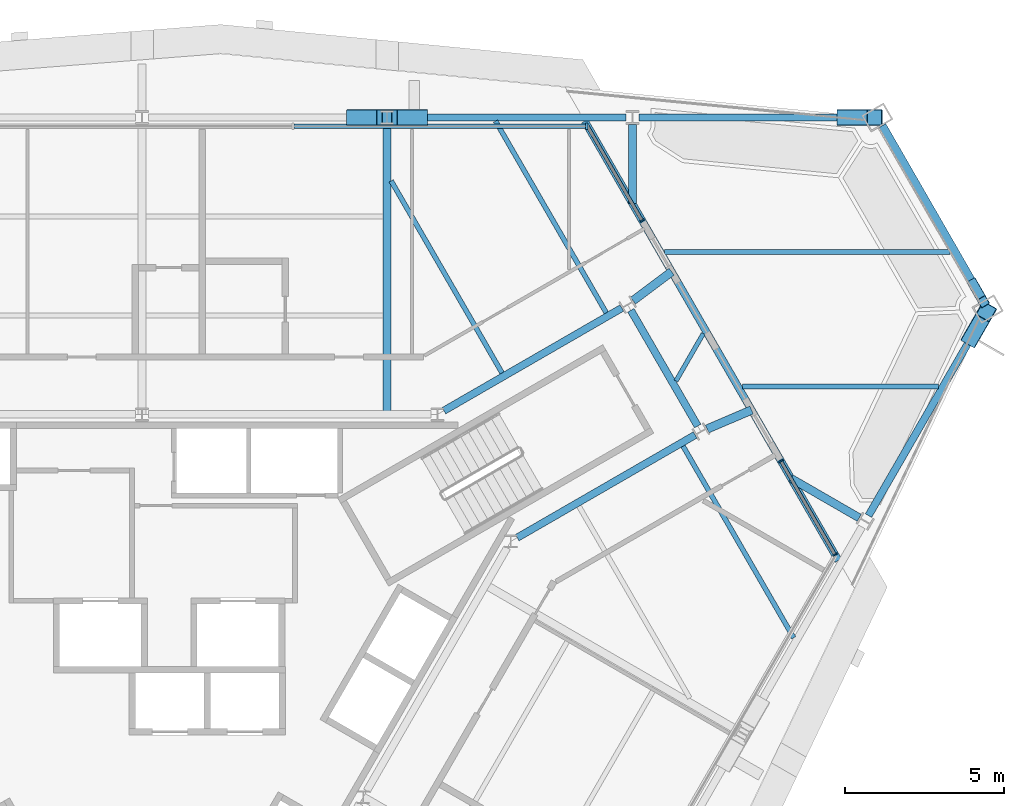
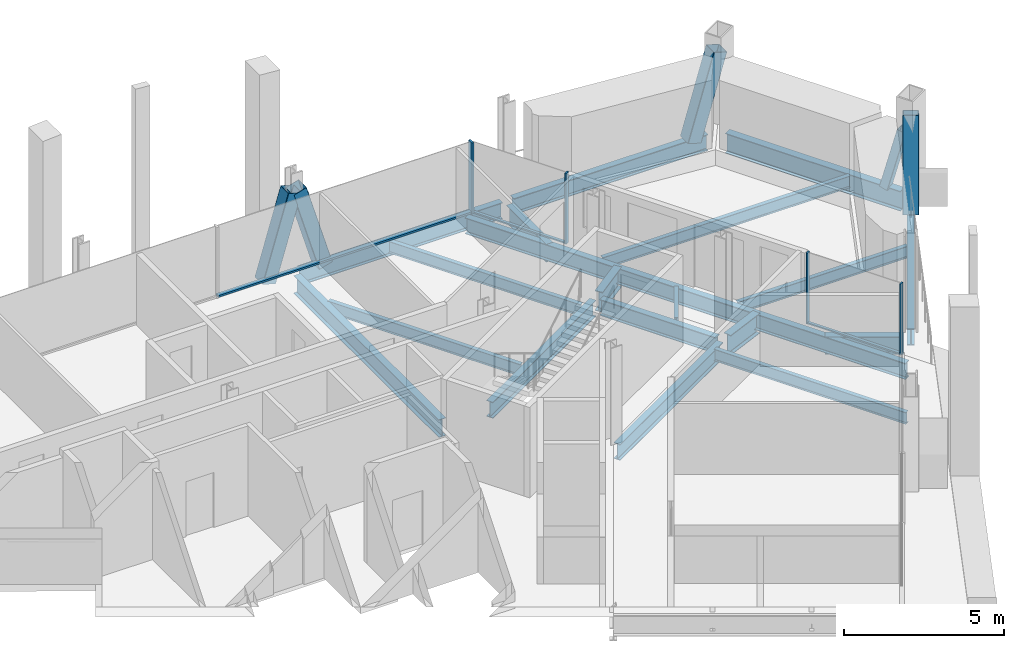
# One storey, part 6 of 13: 19 beams, 12 members, 3 elements without a shape of their own.
"""IFC4 building model written with IfcOpenShell, lengths in metres."""

from ifc_helpers import new_model, si_unit, direction, frame, origin, origin_2d, place, context, subcontext, project, spatial, rectangle, hollow_rectangle, i_section, extrude, material, material_profile, profile_set, type_object, element, aggregate, save


model = new_model("IFC4")

# Units and contexts
model_context = context("Model", 3, precision=1e-05, world=origin(), true_north=direction((0.0, 1.0)))
body_context = subcontext(model_context, "Body", "Model", "MODEL_VIEW")
ifc_project = project(units=[si_unit("LENGTHUNIT", "METRE"), si_unit("AREAUNIT", "SQUARE_METRE"), si_unit("VOLUMEUNIT", "CUBIC_METRE"), si_unit("PLANEANGLEUNIT", "RADIAN"), si_unit("MASSUNIT", "GRAM", prefix="KILO")], contexts=[model_context])

# Site, building, storey
site_placement = place(None, origin())
site = spatial("IfcSite", under=ifc_project, at=site_placement, CompositionType="ELEMENT")
building_placement = place(site_placement, origin())
building = spatial("IfcBuilding", under=site, at=building_placement, Name="Verrane Prism Tower", CompositionType="ELEMENT")
storey_placement = place(building_placement, frame((0.0, 0.0, 171.0)))
storey = spatial("IfcBuildingStorey", under=building, at=storey_placement, Name="L42", CompositionType="ELEMENT", Elevation=171.0)

# Member
ifc_material_1 = material(Name="Steel A500 Grade C", Category="steel")
ifc_material_profile_1 = material_profile(ifc_material_1, hollow_rectangle(XDim=0.3046875, YDim=0.3046875, WallThickness=0.0126953125, InnerFilletRadius=0.00634765625, OuterFilletRadius=0.01904296875, at=origin_2d()), Name="HSS12x12x1/2")
ifc_profile_set_1 = profile_set([ifc_material_profile_1], Name="Steel A500 Grade C")
member_type_1 = type_object("IfcMemberType", Name="Chamfer brace HSS12x12x1/2", PredefinedType="BRACE", material=ifc_profile_set_1)
member_1_placement = place(storey_placement, frame((26.05517578125, 12.08984375, -0.24267578125), z_axis=(0.129052425004, -0.224143685533, 0.965973643448), x_axis=(0.866622456874, 0.498964444867, 0.0)))
element("IfcMember", 1, at=member_1_placement, inside=storey, type_object=member_type_1, Name="Chamfer brace NE0 L42", PredefinedType="BRACE", context=body_context, shape_type="SweptSolid", body=[
    extrude(hollow_rectangle(XDim=0.3046875, YDim=0.3046875, WallThickness=0.0126953125, InnerFilletRadius=0.00634765625, OuterFilletRadius=0.01904296875, at=origin_2d()), origin(), (0.0, 0.0, 1.0), 2.480224609375),
])

# Beams
ifc_material_2 = material(Name="Steel A992", Category="steel")
ifc_material_profile_2 = material_profile(ifc_material_2, i_section(OverallWidth=0.2666015625, OverallDepth=0.7568359375, WebThickness=0.013916015625, FlangeThickness=0.019287109375, FilletRadius=0.0166015625, at=origin_2d()), Name="W30x108")
ifc_profile_set_2 = profile_set([ifc_material_profile_2], Name="Steel A992")
beam_type_1 = type_object("IfcBeamType", Name="Chamfer spandrel beam W30x108", PredefinedType="SPANDREL", material=ifc_profile_set_2)
beam_1_placement = place(storey_placement, frame((26.3603515625, 11.56005859375, -0.53857421875), z_axis=(-0.498933745764, 0.866640131391, 0.0), x_axis=(-0.866640131391, -0.498933745764, 0.0)))
element("IfcBeam", 2, at=beam_1_placement, inside=storey, type_object=beam_type_1, Name="Chamfer spandrel beam L42", PredefinedType="SPANDREL", context=body_context, shape_type="SweptSolid", body=[
    extrude(i_section(OverallWidth=0.2666015625, OverallDepth=0.7568359375, WebThickness=0.013916015625, FlangeThickness=0.019287109375, FilletRadius=0.0166015625, at=origin_2d()), origin(), (0.0, 0.0, 1.0), 6.334716796875),
])
ifc_material_3 = material(Name="Steel A992", Category="steel")
ifc_material_profile_3 = material_profile(ifc_material_3, i_section(OverallWidth=0.23046875, OverallDepth=0.6171875, WebThickness=0.01318359375, FlangeThickness=0.022216796875, FilletRadius=0.012939453125, at=origin_2d()), Name="W24x94")
ifc_profile_set_3 = profile_set([ifc_material_profile_3], Name="Steel A992")
beam_type_2 = type_object("IfcBeamType", Name="Core ring girder W24x94", PredefinedType="BEAM", material=ifc_profile_set_3)
beam_2_placement = place(storey_placement, frame((11.7607421875, 4.1357421875, -0.55859375), z_axis=(0.866075143088, 0.499913839102, 0.0), x_axis=(-0.499913839102, 0.866075143088, 0.0)))
element("IfcBeam", 3, at=beam_2_placement, inside=storey, type_object=beam_type_2, Name="Core ring girder L42", PredefinedType="BEAM", context=body_context, shape_type="SweptSolid", body=[
    extrude(i_section(OverallWidth=0.23046875, OverallDepth=0.6171875, WebThickness=0.01318359375, FlangeThickness=0.022216796875, FilletRadius=0.012939453125, at=origin_2d()), origin(), (0.0, 0.0, 1.0), 6.441650390625),
])
beam_3_placement = place(storey_placement, frame((17.418212890625, 7.635986328125, -0.55859375), z_axis=(-0.500305747711, 0.865848808284, 0.0), x_axis=(-0.865848808284, -0.500305747711, 0.0)))
element("IfcBeam", 4, at=beam_3_placement, inside=storey, type_object=beam_type_2, Name="Core ring girder L42", PredefinedType="BEAM", context=body_context, shape_type="SweptSolid", body=[
    extrude(i_section(OverallWidth=0.23046875, OverallDepth=0.6171875, WebThickness=0.01318359375, FlangeThickness=0.022216796875, FilletRadius=0.012939453125, at=origin_2d()), origin(), (0.0, 0.0, 1.0), 4.1904296875),
])
beam_4_placement = place(storey_placement, frame((15.03955078125, 11.3359375, -0.55859375), z_axis=(-0.866075143088, -0.499913839102, 0.0), x_axis=(0.499913839102, -0.866075143088, 0.0)))
element("IfcBeam", 5, at=beam_4_placement, inside=storey, type_object=beam_type_2, Name="Core ring girder L42", PredefinedType="BEAM", context=body_context, shape_type="SweptSolid", body=[
    extrude(i_section(OverallWidth=0.23046875, OverallDepth=0.6171875, WebThickness=0.01318359375, FlangeThickness=0.022216796875, FilletRadius=0.012939453125, at=origin_2d()), origin(), (0.0, 0.0, 1.0), 6.441650390625),
])
ifc_material_4 = material(Name="Steel A992", Category="steel")
ifc_material_profile_4 = material_profile(ifc_material_4, i_section(OverallWidth=0.2666015625, OverallDepth=0.76708984375, WebThickness=0.014892578125, FlangeThickness=0.023681640625, FilletRadius=0.0166015625, at=origin_2d()), Name="W30x124")
ifc_profile_set_4 = profile_set([ifc_material_profile_4], Name="Steel A992")
beam_type_3 = type_object("IfcBeamType", Name="Corner girder W30x124", PredefinedType="BEAM", material=ifc_profile_set_4)
beam_5_placement = place(storey_placement, frame((19.10595703125, 8.137451171875, -0.603515625), z_axis=(-0.919636160001, -0.392771349794, 0.0), x_axis=(0.392771349794, -0.919636160001, 0.0)))
element("IfcBeam", 6, at=beam_5_placement, inside=storey, type_object=beam_type_3, Name="Corner girder L42", PredefinedType="BEAM", context=body_context, shape_type="SweptSolid", body=[
    extrude(i_section(OverallWidth=0.2666015625, OverallDepth=0.76708984375, WebThickness=0.014892578125, FlangeThickness=0.023681640625, FilletRadius=0.0166015625, at=origin_2d()), origin(), (0.0, 0.0, 1.0), 1.514892578125),
])
beam_6_placement = place(storey_placement, frame((16.601318359375, 12.4755859375, -0.603515625), z_axis=(-0.800115897234, -0.599845439254, 0.0), x_axis=(0.599845439254, -0.800115897234, 0.0)))
element("IfcBeam", 7, at=beam_6_placement, inside=storey, type_object=beam_type_3, Name="Corner girder L42", PredefinedType="BEAM", context=body_context, shape_type="SweptSolid", body=[
    extrude(i_section(OverallWidth=0.2666015625, OverallDepth=0.76708984375, WebThickness=0.014892578125, FlangeThickness=0.023681640625, FilletRadius=0.0166015625, at=origin_2d()), origin(), (0.0, 0.0, 1.0), 1.5166015625),
])

# Members
ifc_material_5 = material(Name="Steel A500 Grade C", Category="steel")
ifc_material_profile_5 = material_profile(ifc_material_5, hollow_rectangle(XDim=0.508056640625, YDim=0.508056640625, WallThickness=0.01904296875, InnerFilletRadius=0.009521484375, OuterFilletRadius=0.028564453125, at=origin_2d()), Name="HSS20x20x3/4")
ifc_profile_set_5 = profile_set([ifc_material_profile_5], Name="Steel A500 Grade C")
member_type_2 = type_object("IfcMemberType", Name="Facade brace HSS20x20x3/4", PredefinedType="BRACE", material=ifc_profile_set_5)
member_2_placement = place(storey_placement, frame((22.027587890625, 17.31005859375, -0.216796875), z_axis=(0.284252705934, 0.0, 0.958749393308), x_axis=(0.0, 1.0, 0.0)))
element("IfcMember", 8, at=member_2_placement, inside=storey, type_object=member_type_2, Name="Facade brace N0 L42", PredefinedType="BRACE", context=body_context, shape_type="SweptSolid", body=[
    extrude(hollow_rectangle(XDim=0.508056640625, YDim=0.508056640625, WallThickness=0.01904296875, InnerFilletRadius=0.009521484375, OuterFilletRadius=0.028564453125, at=origin_2d()), origin(), (0.0, 0.0, 1.0), 3.286865234375),
])
member_3_placement = place(storey_placement, frame((8.703857421875, 17.31005859375, -0.216796875), z_axis=(-0.284594022652, 0.0, 0.95864813267), x_axis=(0.0, -1.0, 0.0)))
element("IfcMember", 9, at=member_3_placement, inside=storey, type_object=member_type_2, Name="Facade brace N1 L42", PredefinedType="BRACE", context=body_context, shape_type="SweptSolid", body=[
    extrude(hollow_rectangle(XDim=0.508056640625, YDim=0.508056640625, WallThickness=0.01904296875, InnerFilletRadius=0.009521484375, OuterFilletRadius=0.028564453125, at=origin_2d()), origin(), (0.0, 0.0, 1.0), 3.287353515625),
])
for number, where, z_axis, x_axis, name in (
    (10, (6.65771484375, 17.31005859375, -0.216796875), (0.284252705934, 0.0, 0.958749393308), (0.0, 1.0, 0.0), "Facade brace N2 L42"),
    (11, (25.998779296875, 10.414794921875, -0.216796875), (0.142163466059, 0.246149282404, 0.958749226696), (-0.86595058071, 0.500129574979, 0.0), "Facade brace SE5 L42"),
):
    element("IfcMember", number, at=place(storey_placement, frame(where, z_axis=z_axis, x_axis=x_axis)), inside=storey, type_object=member_type_2, Name=name, PredefinedType="BRACE", context=body_context, shape_type="SweptSolid", body=[
        extrude(hollow_rectangle(XDim=0.508056640625, YDim=0.508056640625, WallThickness=0.01904296875, InnerFilletRadius=0.009521484375, OuterFilletRadius=0.028564453125, at=origin_2d()), origin(), (0.0, 0.0, 1.0), 3.286865234375),
    ])

# Beams
ifc_material_6 = material(Name="Steel A992", Category="steel")
ifc_material_profile_6 = material_profile(ifc_material_6, i_section(OverallWidth=0.140380859375, OverallDepth=0.40380859375, WebThickness=0.007080078125, FlangeThickness=0.01123046875, FilletRadius=0.01025390625, at=origin_2d()), Name="W16x31")
ifc_profile_set_6 = profile_set([ifc_material_profile_6], Name="Steel A992")
beam_type_4 = type_object("IfcBeamType", Name="Floor beam W16x31", PredefinedType="BEAM", material=ifc_profile_set_6)
beam_7_placement = place(storey_placement, frame((16.73583984375, 9.046630859375, -0.36181640625), z_axis=(0.49998117181, 0.866036273972, 0.0), x_axis=(-0.866036273972, 0.49998117181, 0.0)))
element("IfcBeam", 12, at=beam_7_placement, inside=storey, type_object=beam_type_4, Name="Floor beam L42", PredefinedType="BEAM", context=body_context, shape_type="SweptSolid", body=[
    extrude(i_section(OverallWidth=0.140380859375, OverallDepth=0.40380859375, WebThickness=0.007080078125, FlangeThickness=0.01123046875, FilletRadius=0.01025390625, at=origin_2d()), origin(), (0.0, 0.0, 1.0), 1.71533203125),
])
ifc_material_7 = material(Name="Steel A992", Category="steel")
ifc_material_profile_7 = material_profile(ifc_material_7, i_section(OverallWidth=0.15234375, OverallDepth=0.449462890625, WebThickness=0.007568359375, FlangeThickness=0.0107421875, FilletRadius=0.01025390625, at=origin_2d()), Name="W18x35")
ifc_profile_set_7 = profile_set([ifc_material_profile_7], Name="Steel A992")
beam_type_5 = type_object("IfcBeamType", Name="Floor beam W18x35", PredefinedType="BEAM", material=ifc_profile_set_7)
beam_8_placement = place(storey_placement, frame((18.820556640625, 8.8701171875, -0.384765625), z_axis=(1.0, 0.0, 0.0), x_axis=(0.0, 1.0, 0.0)))
element("IfcBeam", 13, at=beam_8_placement, inside=storey, type_object=beam_type_5, Name="Floor beam L42", PredefinedType="BEAM", context=body_context, shape_type="SweptSolid", body=[
    extrude(i_section(OverallWidth=0.15234375, OverallDepth=0.449462890625, WebThickness=0.007568359375, FlangeThickness=0.0107421875, FilletRadius=0.01025390625, at=origin_2d()), origin(), (0.0, 0.0, 1.0), 6.153564453125),
])
beam_9_placement = place(storey_placement, frame((16.380615234375, 13.090087890625, -0.384765625), z_axis=(1.0, 0.0, 0.0), x_axis=(0.0, 1.0, 0.0)))
element("IfcBeam", 14, at=beam_9_placement, inside=storey, type_object=beam_type_5, Name="Floor beam L42", PredefinedType="BEAM", context=body_context, shape_type="SweptSolid", body=[
    extrude(i_section(OverallWidth=0.15234375, OverallDepth=0.449462890625, WebThickness=0.007568359375, FlangeThickness=0.0107421875, FilletRadius=0.01025390625, at=origin_2d()), origin(), (0.0, 0.0, 1.0), 8.94482421875),
])
beam_10_placement = place(storey_placement, frame((14.550537109375, 11.186279296875, -0.384765625), z_axis=(-0.500006734102, 0.866021515814, 0.0), x_axis=(-0.866021515814, -0.500006734102, 0.0)))
element("IfcBeam", 15, at=beam_10_placement, inside=storey, type_object=beam_type_5, Name="Floor beam L42", PredefinedType="BEAM", context=body_context, shape_type="SweptSolid", body=[
    extrude(i_section(OverallWidth=0.15234375, OverallDepth=0.449462890625, WebThickness=0.007568359375, FlangeThickness=0.0107421875, FilletRadius=0.01025390625, at=origin_2d()), origin(), (0.0, 0.0, 1.0), 6.9384765625),
])
beam_11_placement = place(storey_placement, frame((11.283935546875, 9.301025390625, -0.384765625), z_axis=(-0.500013189534, 0.86601778867, 0.0), x_axis=(-0.86601778867, -0.500013189534, 0.0)))
element("IfcBeam", 16, at=beam_11_placement, inside=storey, type_object=beam_type_5, Name="Floor beam L42", PredefinedType="BEAM", context=body_context, shape_type="SweptSolid", body=[
    extrude(i_section(OverallWidth=0.15234375, OverallDepth=0.449462890625, WebThickness=0.007568359375, FlangeThickness=0.0107421875, FilletRadius=0.01025390625, at=origin_2d()), origin(), (0.0, 0.0, 1.0), 6.953857421875),
])
beam_12_placement = place(storey_placement, frame((20.427490234375, 0.99658203125, -0.384765625), z_axis=(-0.499981432111, 0.866036123695, 0.0), x_axis=(-0.866036123695, -0.499981432111, 0.0)))
element("IfcBeam", 17, at=beam_12_placement, inside=storey, type_object=beam_type_5, Name="Floor beam L42", PredefinedType="BEAM", context=body_context, shape_type="SweptSolid", body=[
    extrude(i_section(OverallWidth=0.15234375, OverallDepth=0.449462890625, WebThickness=0.007568359375, FlangeThickness=0.0107421875, FilletRadius=0.01025390625, at=origin_2d()), origin(), (0.0, 0.0, 1.0), 6.936279296875),
])

# Curtain wall, members
ifc_material_8 = material(Name="Aluminium framed insulated glazing", Category="aluminium")
curtain_wall_type_1 = type_object("IfcCurtainWallType", Name="Curtain wall CW-C 4200 module", PredefinedType="NOTDEFINED", material=ifc_material_8)
curtain_wall_1_placement = place(storey_placement, origin())
curtain_wall_1 = element("IfcCurtainWall", 18, at=curtain_wall_1_placement, inside=storey, type_object=curtain_wall_type_1, Name="Glazed curtain wall garden cut line L42 1", PredefinedType="NOTDEFINED")
ifc_material_9 = material(Name="Aluminium alloy 6063-T6", Category="aluminium")
ifc_material_profile_8 = material_profile(ifc_material_9, rectangle(XDim=0.139892578125, YDim=0.050048828125, at=origin_2d()), Name="Mullion 50x140 aluminium")
ifc_profile_set_8 = profile_set([ifc_material_profile_8], Name="Aluminium alloy 6063-T6")
member_type_3 = type_object("IfcMemberType", Name="Mullion 50x140 aluminium", PredefinedType="MULLION", material=ifc_profile_set_8)
member_4_placement = place(storey_placement, frame((21.722412109375, 3.605712890625, 0.0), z_axis=(0.0, 0.0, 1.0), x_axis=(-0.866026508567, -0.499998086456, 0.0)))
member_4 = element("IfcMember", 19, at=member_4_placement, type_object=member_type_3, Name="CW42.1.1 mullion 1", PredefinedType="MULLION", context=body_context, shape_type="SweptSolid", body=[
    extrude(rectangle(XDim=0.139892578125, YDim=0.050048828125, at=origin_2d()), origin(), (0.0, 0.0, 1.0), 2.712890625),
])
member_5_placement = place(storey_placement, frame((20.030517578125, 6.535888671875, 0.0), z_axis=(0.0, 0.0, 1.0), x_axis=(-0.866026508567, -0.499998086456, 0.0)))
member_5 = element("IfcMember", 20, at=member_5_placement, type_object=member_type_3, Name="CW42.1.1 mullion 2", PredefinedType="MULLION", context=body_context, shape_type="SweptSolid", body=[
    extrude(rectangle(XDim=0.139892578125, YDim=0.050048828125, at=origin_2d()), origin(), (0.0, 0.0, 1.0), 2.712890625),
])

# Curtain wall, member
curtain_wall_2_placement = place(storey_placement, origin())
curtain_wall_2 = element("IfcCurtainWall", 21, at=curtain_wall_2_placement, inside=storey, type_object=curtain_wall_type_1, Name="Glazed curtain wall garden cut line L42 2", PredefinedType="NOTDEFINED")
member_6_placement = place(storey_placement, frame((15.675537109375, 14.0791015625, 0.0), z_axis=(0.0, 0.0, 1.0), x_axis=(-0.866026508567, -0.499998086456, 0.0)))
member_6 = element("IfcMember", 22, at=member_6_placement, type_object=member_type_3, Name="CW42.1.2 mullion 1", PredefinedType="MULLION", context=body_context, shape_type="SweptSolid", body=[
    extrude(rectangle(XDim=0.139892578125, YDim=0.050048828125, at=origin_2d()), origin(), (0.0, 0.0, 1.0), 2.712890625),
])

ifc_material_10 = material(Name="Aluminium framed insulated glazing", Category="aluminium")
curtain_wall_type_2 = type_object("IfcCurtainWallType", Name="Curtain wall CW-A 8400 module", PredefinedType="NOTDEFINED", material=ifc_material_10)
curtain_wall_3_placement = place(storey_placement, origin())
curtain_wall_3 = element("IfcCurtainWall", 23, at=curtain_wall_3_placement, inside=storey, type_object=curtain_wall_type_2, Name="Glazed curtain wall north face L42", PredefinedType="NOTDEFINED")
ifc_material_11 = material(Name="Aluminium alloy 6063-T6", Category="aluminium")
ifc_material_profile_9 = material_profile(ifc_material_11, rectangle(XDim=0.199951171875, YDim=0.070068359375, at=origin_2d()), Name="Mullion 70x200 aluminium")
ifc_profile_set_9 = profile_set([ifc_material_profile_9], Name="Aluminium alloy 6063-T6")
member_type_4 = type_object("IfcMemberType", Name="Mullion 70x200 aluminium", PredefinedType="MULLION", material=ifc_profile_set_9)
member_7_placement = place(storey_placement, frame((13.936279296875, 17.031005859375, 0.0), z_axis=(0.0, 0.0, 1.0), x_axis=(0.0, -1.0, 0.0)))
member_7 = element("IfcMember", 24, at=member_7_placement, type_object=member_type_4, Name="CW42.2 mullion 1", PredefinedType="MULLION", context=body_context, shape_type="SweptSolid", body=[
    extrude(rectangle(XDim=0.199951171875, YDim=0.070068359375, at=origin_2d()), origin(), (0.0, 0.0, 1.0), 2.712890625),
])

# Beams
ifc_material_12 = material(Name="Steel A992", Category="steel")
ifc_material_profile_10 = material_profile(ifc_material_12, i_section(OverallWidth=0.25390625, OverallDepth=0.683349609375, WebThickness=0.012451171875, FlangeThickness=0.01904296875, FilletRadius=0.01513671875, at=origin_2d()), Name="W27x94")
ifc_profile_set_10 = profile_set([ifc_material_profile_10], Name="Steel A992")
beam_type_6 = type_object("IfcBeamType", Name="Radial girder W27x94", PredefinedType="BEAM", material=ifc_profile_set_10)
beam_13_placement = place(storey_placement, frame((15.3701171875, 17.0927734375, -0.5615234375), z_axis=(0.0, -1.0, 0.0), x_axis=(1.0, 0.0, 0.0)))
element("IfcBeam", 25, at=beam_13_placement, inside=storey, type_object=beam_type_6, Name="Radial girder L42", PredefinedType="BEAM", context=body_context, shape_type="SweptSolid", body=[
    extrude(i_section(OverallWidth=0.25390625, OverallDepth=0.683349609375, WebThickness=0.012451171875, FlangeThickness=0.01904296875, FilletRadius=0.01513671875, at=origin_2d()), origin(), (0.0, 0.0, 1.0), 2.484130859375),
])
beam_14_placement = place(storey_placement, frame((7.679931640625, 17.0927734375, -0.5615234375), z_axis=(0.0, -1.0, 0.0), x_axis=(1.0, 0.0, 0.0)))
element("IfcBeam", 26, at=beam_14_placement, inside=storey, type_object=beam_type_6, Name="Radial girder L42", PredefinedType="BEAM", context=body_context, shape_type="SweptSolid", body=[
    extrude(i_section(OverallWidth=0.25390625, OverallDepth=0.683349609375, WebThickness=0.012451171875, FlangeThickness=0.01904296875, FilletRadius=0.01513671875, at=origin_2d()), origin(), (0.0, 0.0, 1.0), 9.0927734375),
])
beam_15_placement = place(storey_placement, frame((22.48193359375, 4.758544921875, -0.5615234375), z_axis=(-0.866037350811, 0.499979306572, 0.0), x_axis=(-0.499979306572, -0.866037350811, 0.0)))
element("IfcBeam", 27, at=beam_15_placement, inside=storey, type_object=beam_type_6, Name="Radial girder L42", PredefinedType="BEAM", context=body_context, shape_type="SweptSolid", body=[
    extrude(i_section(OverallWidth=0.25390625, OverallDepth=0.683349609375, WebThickness=0.012451171875, FlangeThickness=0.01904296875, FilletRadius=0.01513671875, at=origin_2d()), origin(), (0.0, 0.0, 1.0), 2.46826171875),
])
ifc_material_13 = material(Name="Steel A992", Category="steel")
ifc_material_profile_11 = material_profile(ifc_material_13, i_section(OverallWidth=0.23046875, OverallDepth=0.6171875, WebThickness=0.01318359375, FlangeThickness=0.022216796875, FilletRadius=0.012939453125, at=origin_2d()), Name="W24x94")
ifc_profile_set_11 = profile_set([ifc_material_profile_11], Name="Steel A992")
beam_type_7 = type_object("IfcBeamType", Name="Slab edge girder W24x94", PredefinedType="BEAM", material=ifc_profile_set_11)
beam_16_placement = place(storey_placement, frame((13.876708984375, 17.195068359375, -0.528564453125), z_axis=(0.499990396487, -0.866030948304, 0.0), x_axis=(0.866030948304, 0.499990396487, 0.0)))
element("IfcBeam", 28, at=beam_16_placement, inside=storey, type_object=beam_type_7, Name="Slab edge girder L42", PredefinedType="BEAM", context=body_context, shape_type="SweptSolid", body=[
    extrude(i_section(OverallWidth=0.23046875, OverallDepth=0.6171875, WebThickness=0.01318359375, FlangeThickness=0.022216796875, FilletRadius=0.012939453125, at=origin_2d()), origin(), (0.0, 0.0, 1.0), 15.906005859375),
])
ifc_material_14 = material(Name="Steel A992", Category="steel")
ifc_material_profile_12 = material_profile(ifc_material_14, i_section(OverallWidth=0.23046875, OverallDepth=0.6171875, WebThickness=0.01318359375, FlangeThickness=0.022216796875, FilletRadius=0.012939453125, at=origin_2d()), Name="W24x94")
ifc_profile_set_12 = profile_set([ifc_material_profile_12], Name="Steel A992")
beam_type_8 = type_object("IfcBeamType", Name="Spandrel beam W24x94", PredefinedType="SPANDREL", material=ifc_profile_set_12)
beam_17_placement = place(storey_placement, frame((22.588134765625, 17.31005859375, -0.468505859375), z_axis=(-1.0, 0.0, 0.0), x_axis=(0.0, -1.0, 0.0)))
element("IfcBeam", 29, at=beam_17_placement, inside=storey, type_object=beam_type_8, Name="Spandrel beam L42", PredefinedType="SPANDREL", context=body_context, shape_type="SweptSolid", body=[
    extrude(i_section(OverallWidth=0.23046875, OverallDepth=0.6171875, WebThickness=0.01318359375, FlangeThickness=0.022216796875, FilletRadius=0.012939453125, at=origin_2d()), origin(), (0.0, 0.0, 1.0), 7.012451171875),
])
beam_18_placement = place(storey_placement, frame((15.164306640625, 17.31005859375, -0.468505859375), z_axis=(-1.0, 0.0, 0.0), x_axis=(0.0, -1.0, 0.0)))
element("IfcBeam", 30, at=beam_18_placement, inside=storey, type_object=beam_type_8, Name="Spandrel beam L42", PredefinedType="SPANDREL", context=body_context, shape_type="SweptSolid", body=[
    extrude(i_section(OverallWidth=0.23046875, OverallDepth=0.6171875, WebThickness=0.01318359375, FlangeThickness=0.022216796875, FilletRadius=0.012939453125, at=origin_2d()), origin(), (0.0, 0.0, 1.0), 7.278564453125),
])
beam_19_placement = place(storey_placement, frame((22.77294921875, 4.828125, -0.468505859375), z_axis=(0.5000600333, 0.865990740768, 0.0), x_axis=(-0.865990740768, 0.5000600333, 0.0)))
element("IfcBeam", 31, at=beam_19_placement, inside=storey, type_object=beam_type_8, Name="Spandrel beam L42", PredefinedType="SPANDREL", context=body_context, shape_type="SweptSolid", body=[
    extrude(i_section(OverallWidth=0.23046875, OverallDepth=0.6171875, WebThickness=0.01318359375, FlangeThickness=0.022216796875, FilletRadius=0.012939453125, at=origin_2d()), origin(), (0.0, 0.0, 1.0), 7.011474609375),
])

# Member
ifc_material_15 = material(Name="Aluminium alloy 6063-T6", Category="aluminium")
ifc_material_profile_13 = material_profile(ifc_material_15, rectangle(XDim=0.10009765625, YDim=0.050048828125, at=origin_2d()), Name="Transom 50x100 aluminium")
ifc_profile_set_13 = profile_set([ifc_material_profile_13], Name="Aluminium alloy 6063-T6")
member_type_5 = type_object("IfcMemberType", Name="Transom 50x100 aluminium", PredefinedType="USERDEFINED", material=ifc_profile_set_13)
member_8_placement = place(storey_placement, frame((21.7099609375, 3.627197265625, 0.02490234375), z_axis=(-0.499959120071, 0.866049004536, 0.0), x_axis=(-0.866049004536, -0.499959120071, 0.0)))
member_8 = element("IfcMember", 32, at=member_8_placement, type_object=member_type_5, Name="CW42.1.1 transom 1", ObjectType="TRANSOM", PredefinedType="USERDEFINED", context=body_context, shape_type="SweptSolid", body=[
    extrude(rectangle(XDim=0.10009765625, YDim=0.050048828125, at=origin_2d()), origin(), (0.0, 0.0, 1.0), 3.333740234375),
])

aggregate(curtain_wall_1, [member_4, member_5, member_8])

member_9_placement = place(storey_placement, frame((15.6630859375, 14.1005859375, 0.02490234375), z_axis=(-0.500003502126, 0.866023381821, 0.0), x_axis=(-0.866023381821, -0.500003502126, 0.0)))
member_9 = element("IfcMember", 33, at=member_9_placement, type_object=member_type_5, Name="CW42.1.2 transom 1", ObjectType="TRANSOM", PredefinedType="USERDEFINED", context=body_context, shape_type="SweptSolid", body=[
    extrude(rectangle(XDim=0.10009765625, YDim=0.050048828125, at=origin_2d()), origin(), (0.0, 0.0, 1.0), 3.3837890625),
])

aggregate(curtain_wall_2, [member_6, member_9])

ifc_material_16 = material(Name="Aluminium alloy 6063-T6", Category="aluminium")
ifc_material_profile_14 = material_profile(ifc_material_16, rectangle(XDim=0.14990234375, YDim=0.070068359375, at=origin_2d()), Name="Transom 70x150 aluminium")
ifc_profile_set_14 = profile_set([ifc_material_profile_14], Name="Aluminium alloy 6063-T6")
member_type_6 = type_object("IfcMemberType", Name="Transom 70x150 aluminium", PredefinedType="USERDEFINED", material=ifc_profile_set_14)
member_10_placement = place(storey_placement, frame((13.9013671875, 17.031005859375, 0.034912109375), z_axis=(-1.0, 0.0, 0.0), x_axis=(0.0, -1.0, 0.0)))
member_10 = element("IfcMember", 34, at=member_10_placement, type_object=member_type_6, Name="CW42.2 transom 1", ObjectType="TRANSOM", PredefinedType="USERDEFINED", context=body_context, shape_type="SweptSolid", body=[
    extrude(rectangle(XDim=0.14990234375, YDim=0.070068359375, at=origin_2d()), origin(), (0.0, 0.0, 1.0), 9.138916015625),
])

aggregate(curtain_wall_3, [member_7, member_10])

save(model, "model.ifc")
